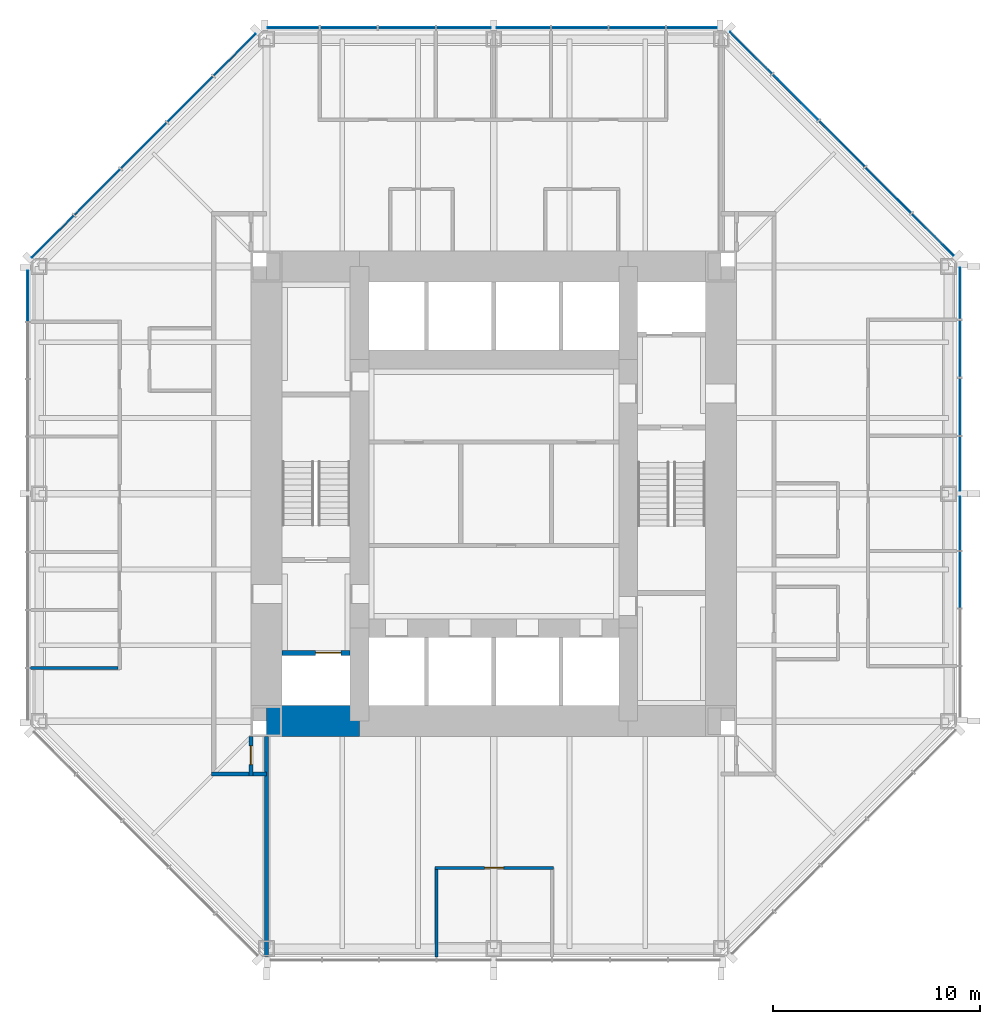
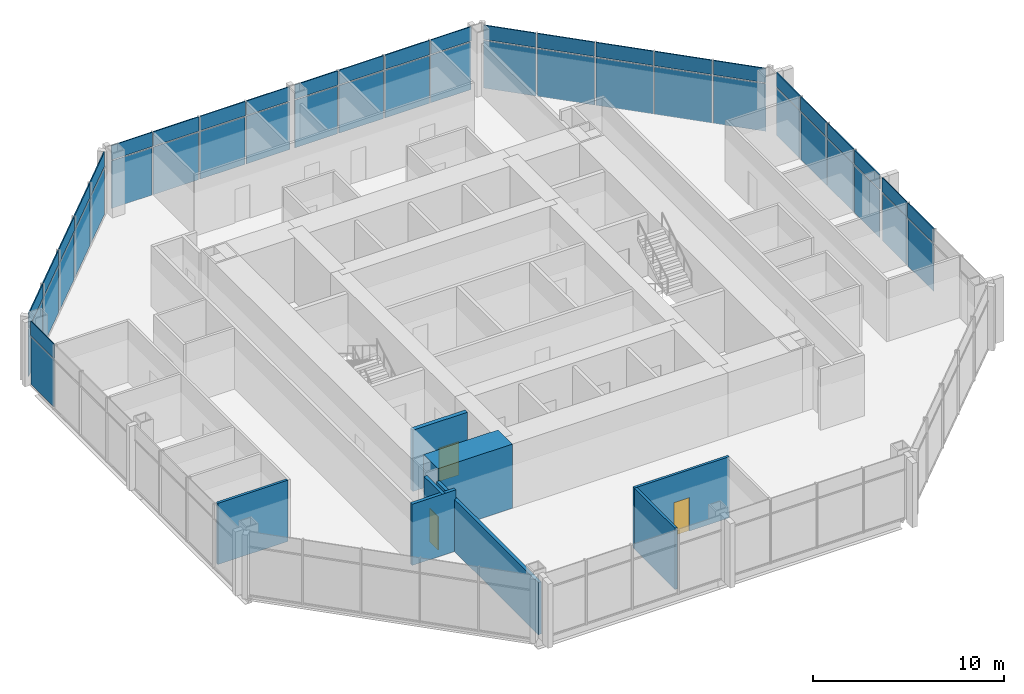
# One storey, part 8 of 12: 50 plates, 8 walls, 3 doors, 3 openings, 5 elements without a shape of their own.
"""IFC4 building model written with IfcOpenShell, lengths in metres."""

from ifc_helpers import new_model, si_unit, direction, frame, frame_2d, origin, origin_2d, place, context, subcontext, project, spatial, rectangle, extrude, material, layer, layer_set, type_object, element, fill, aggregate, save


model = new_model("IFC4")

# Units and contexts
model_context = context("Model", 3, precision=1e-05, world=origin(), true_north=direction((0.0, 1.0)))
body_context = subcontext(model_context, "Body", "Model", "MODEL_VIEW")
ifc_project = project(units=[si_unit("LENGTHUNIT", "METRE"), si_unit("AREAUNIT", "SQUARE_METRE"), si_unit("VOLUMEUNIT", "CUBIC_METRE"), si_unit("PLANEANGLEUNIT", "RADIAN"), si_unit("MASSUNIT", "GRAM", prefix="KILO")], contexts=[model_context])

# Site, building, storey
site_placement = place(None, origin())
site = spatial("IfcSite", under=ifc_project, at=site_placement, CompositionType="ELEMENT")
building_placement = place(site_placement, origin())
building = spatial("IfcBuilding", under=site, at=building_placement, Name="Trevanion Tower", CompositionType="ELEMENT")
storey_placement = place(building_placement, frame((0.0, 0.0, 125.39990234375)))
storey = spatial("IfcBuildingStorey", under=building, at=storey_placement, Name="L29", CompositionType="ELEMENT", Elevation=125.39990234375)

# Curtain wall, plates
ifc_material_1 = material(Name="Aluminium and glass", Category="aluminium")
curtain_wall_type = type_object("IfcCurtainWallType", Name="CW2 curtain wall", PredefinedType="USERDEFINED", material=ifc_material_1)
curtain_wall_1_placement = place(storey_placement, origin())
curtain_wall_1 = element("IfcCurtainWall", 1, at=curtain_wall_1_placement, inside=storey, type_object=curtain_wall_type, Name="CW2 L29 0", ObjectType="UNITISED CURTAIN WALL", PredefinedType="USERDEFINED")
ifc_material_2 = material(Name="Aluminium spandrel panel", Category="aluminium")
ifc_layer_1 = layer(ifc_material_2, 0.06005859375)
ifc_layer_set_1 = layer_set([ifc_layer_1], Name="CW2 spandrel panel")
plate_type_1 = type_object("IfcPlateType", Name="CW2 spandrel panel", PredefinedType="CURTAIN_PANEL", material=ifc_layer_set_1)
plate_1_placement = place(storey_placement, frame((22.550048828125, -4.16162109375, 2.99755859375), z_axis=(0.0, 0.0, 1.0), x_axis=(0.0, 1.0, 0.0)))
plate_1 = element("IfcPlate", 2, at=plate_1_placement, type_object=plate_type_1, Name="CW2 panel 3.2", PredefinedType="CURTAIN_PANEL", context=body_context, shape_type="SweptSolid", body=[
    extrude(rectangle(XDim=2.699462890625, YDim=0.06005859375, at=origin_2d()), origin(), (0.0, 0.0, 1.0), 0.91259765625),
])
plate_2_placement = place(storey_placement, frame((22.550048828125, -1.443603515625, 2.99755859375), z_axis=(0.0, 0.0, 1.0), x_axis=(0.0, 1.0, 0.0)))
plate_2 = element("IfcPlate", 3, at=plate_2_placement, type_object=plate_type_1, Name="CW2 panel 4.2", PredefinedType="CURTAIN_PANEL", context=body_context, shape_type="SweptSolid", body=[
    extrude(rectangle(XDim=2.5869140625, YDim=0.06005859375, at=origin_2d()), origin(), (0.0, 0.0, 1.0), 0.91259765625),
])
plate_3_placement = place(storey_placement, frame((22.550048828125, 1.459716796875, 2.99755859375), z_axis=(0.0, 0.0, 1.0), x_axis=(0.0, 1.0, 0.0)))
plate_3 = element("IfcPlate", 4, at=plate_3_placement, type_object=plate_type_1, Name="CW2 panel 5.2", PredefinedType="CURTAIN_PANEL", context=body_context, shape_type="SweptSolid", body=[
    extrude(rectangle(XDim=2.619384765625, YDim=0.06005859375, at=origin_2d()), origin(), (0.0, 0.0, 1.0), 0.91259765625),
])
plate_4_placement = place(storey_placement, frame((22.550048828125, 4.21044921875, 2.99755859375), z_axis=(0.0, 0.0, 1.0), x_axis=(0.0, 1.0, 0.0)))
plate_4 = element("IfcPlate", 5, at=plate_4_placement, type_object=plate_type_1, Name="CW2 panel 6.2", PredefinedType="CURTAIN_PANEL", context=body_context, shape_type="SweptSolid", body=[
    extrude(rectangle(XDim=2.73193359375, YDim=0.06005859375, at=origin_2d()), origin(), (0.0, 0.0, 1.0), 0.91259765625),
])
plate_5_placement = place(storey_placement, frame((22.550048828125, 7.017333984375, 2.99755859375), z_axis=(0.0, 0.0, 1.0), x_axis=(0.0, 1.0, 0.0)))
plate_5 = element("IfcPlate", 6, at=plate_5_placement, type_object=plate_type_1, Name="CW2 panel 7.2", PredefinedType="CURTAIN_PANEL", context=body_context, shape_type="SweptSolid", body=[
    extrude(rectangle(XDim=2.73193359375, YDim=0.06005859375, at=origin_2d()), origin(), (0.0, 0.0, 1.0), 0.91259765625),
])
plate_6_placement = place(storey_placement, frame((22.550048828125, 9.693115234375, 2.99755859375), z_axis=(0.0, 0.0, 1.0), x_axis=(0.0, 1.0, 0.0)))
plate_6 = element("IfcPlate", 7, at=plate_6_placement, type_object=plate_type_1, Name="CW2 panel 8.2", PredefinedType="CURTAIN_PANEL", context=body_context, shape_type="SweptSolid", body=[
    extrude(rectangle(XDim=2.469482421875, YDim=0.06005859375, at=origin_2d()), origin(), (0.0, 0.0, 1.0), 0.91259765625),
])

curtain_wall_2_placement = place(storey_placement, origin())
curtain_wall_2 = element("IfcCurtainWall", 8, at=curtain_wall_2_placement, inside=storey, type_object=curtain_wall_type, Name="CW2 L29 1", ObjectType="UNITISED CURTAIN WALL", PredefinedType="USERDEFINED")
plate_7_placement = place(storey_placement, frame((21.2421875, 12.53564453125, 2.99755859375), z_axis=(0.0, 0.0, 1.0), x_axis=(-0.707106781187, 0.707106781187, 0.0)))
plate_7 = element("IfcPlate", 9, at=plate_7_placement, type_object=plate_type_1, Name="CW2 panel 1.2", PredefinedType="CURTAIN_PANEL", context=body_context, shape_type="SweptSolid", body=[
    extrude(rectangle(XDim=2.8388671875, YDim=0.06005859375, at=origin_2d()), origin(), (0.0, 0.0, 1.0), 0.91259765625),
])
plate_8_placement = place(storey_placement, frame((19.089111328125, 14.688720703125, 2.99755859375), z_axis=(0.0, 0.0, 1.0), x_axis=(-0.707106781187, 0.707106781187, 0.0)))
plate_8 = element("IfcPlate", 10, at=plate_8_placement, type_object=plate_type_1, Name="CW2 panel 2.2", PredefinedType="CURTAIN_PANEL", context=body_context, shape_type="SweptSolid", body=[
    extrude(rectangle(XDim=3.101318359375, YDim=0.06005859375, at=origin_2d()), origin(), (0.0, 0.0, 1.0), 0.91259765625),
])
plate_9_placement = place(storey_placement, frame((16.843017578125, 16.934814453125, 2.99755859375), z_axis=(0.0, 0.0, 1.0), x_axis=(-0.707106781187, 0.707106781187, 0.0)))
plate_9 = element("IfcPlate", 11, at=plate_9_placement, type_object=plate_type_1, Name="CW2 panel 3.2", PredefinedType="CURTAIN_PANEL", context=body_context, shape_type="SweptSolid", body=[
    extrude(rectangle(XDim=3.101318359375, YDim=0.06005859375, at=origin_2d()), origin(), (0.0, 0.0, 1.0), 0.91259765625),
])
plate_10_placement = place(storey_placement, frame((14.596923828125, 19.180908203125, 2.99755859375), z_axis=(0.0, 0.0, 1.0), x_axis=(-0.707106781187, 0.707106781187, 0.0)))
plate_10 = element("IfcPlate", 12, at=plate_10_placement, type_object=plate_type_1, Name="CW2 panel 4.2", PredefinedType="CURTAIN_PANEL", context=body_context, shape_type="SweptSolid", body=[
    extrude(rectangle(XDim=3.101318359375, YDim=0.06005859375, at=origin_2d()), origin(), (0.0, 0.0, 1.0), 0.91259765625),
])
plate_11_placement = place(storey_placement, frame((12.443603515625, 21.334228515625, 2.99755859375), z_axis=(0.0, 0.0, 1.0), x_axis=(-0.707106781187, 0.707106781187, 0.0)))
plate_11 = element("IfcPlate", 13, at=plate_11_placement, type_object=plate_type_1, Name="CW2 panel 5.2", PredefinedType="CURTAIN_PANEL", context=body_context, shape_type="SweptSolid", body=[
    extrude(rectangle(XDim=2.8388671875, YDim=0.06005859375, at=origin_2d()), origin(), (0.0, 0.0, 1.0), 0.91259765625),
])

curtain_wall_3_placement = place(storey_placement, origin())
curtain_wall_3 = element("IfcCurtainWall", 14, at=curtain_wall_3_placement, inside=storey, type_object=curtain_wall_type, Name="CW2 L29 2", ObjectType="UNITISED CURTAIN WALL", PredefinedType="USERDEFINED")
plate_12_placement = place(storey_placement, frame((9.579345703125, 22.550048828125, 2.99755859375), z_axis=(0.0, 0.0, 1.0), x_axis=(-1.0, 0.0, 0.0)))
plate_12 = element("IfcPlate", 15, at=plate_12_placement, type_object=plate_type_1, Name="CW2 panel 1.2", PredefinedType="CURTAIN_PANEL", context=body_context, shape_type="SweptSolid", body=[
    extrude(rectangle(XDim=2.43701171875, YDim=0.06005859375, at=origin_2d()), origin(), (0.0, 0.0, 1.0), 0.91259765625),
])
plate_13_placement = place(storey_placement, frame((6.93603515625, 22.550048828125, 2.99755859375), z_axis=(0.0, 0.0, 1.0), x_axis=(-1.0, 0.0, 0.0)))
plate_13 = element("IfcPlate", 16, at=plate_13_placement, type_object=plate_type_1, Name="CW2 panel 2.2", PredefinedType="CURTAIN_PANEL", context=body_context, shape_type="SweptSolid", body=[
    extrude(rectangle(XDim=2.699462890625, YDim=0.06005859375, at=origin_2d()), origin(), (0.0, 0.0, 1.0), 0.91259765625),
])
plate_14_placement = place(storey_placement, frame((4.16162109375, 22.550048828125, 2.99755859375), z_axis=(0.0, 0.0, 1.0), x_axis=(-1.0, 0.0, 0.0)))
plate_14 = element("IfcPlate", 17, at=plate_14_placement, type_object=plate_type_1, Name="CW2 panel 3.2", PredefinedType="CURTAIN_PANEL", context=body_context, shape_type="SweptSolid", body=[
    extrude(rectangle(XDim=2.699462890625, YDim=0.06005859375, at=origin_2d()), origin(), (0.0, 0.0, 1.0), 0.91259765625),
])
plate_15_placement = place(storey_placement, frame((1.443603515625, 22.550048828125, 2.99755859375), z_axis=(0.0, 0.0, 1.0), x_axis=(-1.0, 0.0, 0.0)))
plate_15 = element("IfcPlate", 18, at=plate_15_placement, type_object=plate_type_1, Name="CW2 panel 4.2", PredefinedType="CURTAIN_PANEL", context=body_context, shape_type="SweptSolid", body=[
    extrude(rectangle(XDim=2.5869140625, YDim=0.06005859375, at=origin_2d()), origin(), (0.0, 0.0, 1.0), 0.91259765625),
])
plate_16_placement = place(storey_placement, frame((-1.459716796875, 22.550048828125, 2.99755859375), z_axis=(0.0, 0.0, 1.0), x_axis=(-1.0, 0.0, 0.0)))
plate_16 = element("IfcPlate", 19, at=plate_16_placement, type_object=plate_type_1, Name="CW2 panel 5.2", PredefinedType="CURTAIN_PANEL", context=body_context, shape_type="SweptSolid", body=[
    extrude(rectangle(XDim=2.619384765625, YDim=0.06005859375, at=origin_2d()), origin(), (0.0, 0.0, 1.0), 0.91259765625),
])
plate_17_placement = place(storey_placement, frame((-4.21044921875, 22.550048828125, 2.99755859375), z_axis=(0.0, 0.0, 1.0), x_axis=(-1.0, 0.0, 0.0)))
plate_17 = element("IfcPlate", 20, at=plate_17_placement, type_object=plate_type_1, Name="CW2 panel 6.2", PredefinedType="CURTAIN_PANEL", context=body_context, shape_type="SweptSolid", body=[
    extrude(rectangle(XDim=2.73193359375, YDim=0.06005859375, at=origin_2d()), origin(), (0.0, 0.0, 1.0), 0.91259765625),
])
plate_18_placement = place(storey_placement, frame((-7.017333984375, 22.550048828125, 2.99755859375), z_axis=(0.0, 0.0, 1.0), x_axis=(-1.0, 0.0, 0.0)))
plate_18 = element("IfcPlate", 21, at=plate_18_placement, type_object=plate_type_1, Name="CW2 panel 7.2", PredefinedType="CURTAIN_PANEL", context=body_context, shape_type="SweptSolid", body=[
    extrude(rectangle(XDim=2.73193359375, YDim=0.06005859375, at=origin_2d()), origin(), (0.0, 0.0, 1.0), 0.91259765625),
])
plate_19_placement = place(storey_placement, frame((-9.693115234375, 22.550048828125, 2.99755859375), z_axis=(0.0, 0.0, 1.0), x_axis=(-1.0, 0.0, 0.0)))
plate_19 = element("IfcPlate", 22, at=plate_19_placement, type_object=plate_type_1, Name="CW2 panel 8.2", PredefinedType="CURTAIN_PANEL", context=body_context, shape_type="SweptSolid", body=[
    extrude(rectangle(XDim=2.469482421875, YDim=0.06005859375, at=origin_2d()), origin(), (0.0, 0.0, 1.0), 0.91259765625),
])

curtain_wall_4_placement = place(storey_placement, origin())
curtain_wall_4 = element("IfcCurtainWall", 23, at=curtain_wall_4_placement, inside=storey, type_object=curtain_wall_type, Name="CW2 L29 3", ObjectType="UNITISED CURTAIN WALL", PredefinedType="USERDEFINED")
plate_20_placement = place(storey_placement, frame((-12.53564453125, 21.2421875, 2.99755859375), z_axis=(0.0, 0.0, 1.0), x_axis=(-0.707106781187, -0.707106781187, 0.0)))
plate_20 = element("IfcPlate", 24, at=plate_20_placement, type_object=plate_type_1, Name="CW2 panel 1.2", PredefinedType="CURTAIN_PANEL", context=body_context, shape_type="SweptSolid", body=[
    extrude(rectangle(XDim=2.8388671875, YDim=0.06005859375, at=origin_2d()), origin(), (0.0, 0.0, 1.0), 0.91259765625),
])
plate_21_placement = place(storey_placement, frame((-14.688720703125, 19.089111328125, 2.99755859375), z_axis=(0.0, 0.0, 1.0), x_axis=(-0.707106781187, -0.707106781187, 0.0)))
plate_21 = element("IfcPlate", 25, at=plate_21_placement, type_object=plate_type_1, Name="CW2 panel 2.2", PredefinedType="CURTAIN_PANEL", context=body_context, shape_type="SweptSolid", body=[
    extrude(rectangle(XDim=3.101318359375, YDim=0.06005859375, at=origin_2d()), origin(), (0.0, 0.0, 1.0), 0.91259765625),
])
plate_22_placement = place(storey_placement, frame((-16.934814453125, 16.843017578125, 2.99755859375), z_axis=(0.0, 0.0, 1.0), x_axis=(-0.707106781187, -0.707106781187, 0.0)))
plate_22 = element("IfcPlate", 26, at=plate_22_placement, type_object=plate_type_1, Name="CW2 panel 3.2", PredefinedType="CURTAIN_PANEL", context=body_context, shape_type="SweptSolid", body=[
    extrude(rectangle(XDim=3.101318359375, YDim=0.06005859375, at=origin_2d()), origin(), (0.0, 0.0, 1.0), 0.91259765625),
])
plate_23_placement = place(storey_placement, frame((-19.180908203125, 14.596923828125, 2.99755859375), z_axis=(0.0, 0.0, 1.0), x_axis=(-0.707106781187, -0.707106781187, 0.0)))
plate_23 = element("IfcPlate", 27, at=plate_23_placement, type_object=plate_type_1, Name="CW2 panel 4.2", PredefinedType="CURTAIN_PANEL", context=body_context, shape_type="SweptSolid", body=[
    extrude(rectangle(XDim=3.101318359375, YDim=0.06005859375, at=origin_2d()), origin(), (0.0, 0.0, 1.0), 0.91259765625),
])
plate_24_placement = place(storey_placement, frame((-21.334228515625, 12.443603515625, 2.99755859375), z_axis=(0.0, 0.0, 1.0), x_axis=(-0.707106781187, -0.707106781187, 0.0)))
plate_24 = element("IfcPlate", 28, at=plate_24_placement, type_object=plate_type_1, Name="CW2 panel 5.2", PredefinedType="CURTAIN_PANEL", context=body_context, shape_type="SweptSolid", body=[
    extrude(rectangle(XDim=2.8388671875, YDim=0.06005859375, at=origin_2d()), origin(), (0.0, 0.0, 1.0), 0.91259765625),
])

# Curtain wall, plate
curtain_wall_5_placement = place(storey_placement, origin())
curtain_wall_5 = element("IfcCurtainWall", 29, at=curtain_wall_5_placement, inside=storey, type_object=curtain_wall_type, Name="CW2 L29 4", ObjectType="UNITISED CURTAIN WALL", PredefinedType="USERDEFINED")
plate_25_placement = place(storey_placement, frame((-22.550048828125, 9.579345703125, 2.99755859375), z_axis=(0.0, 0.0, 1.0), x_axis=(0.0, -1.0, 0.0)))
plate_25 = element("IfcPlate", 30, at=plate_25_placement, type_object=plate_type_1, Name="CW2 panel 1.2", PredefinedType="CURTAIN_PANEL", context=body_context, shape_type="SweptSolid", body=[
    extrude(rectangle(XDim=2.43701171875, YDim=0.06005859375, at=origin_2d()), origin(), (0.0, 0.0, 1.0), 0.91259765625),
])

# Plate
ifc_material_3 = material(Name="Insulating glass unit", Category="glass")
ifc_layer_2 = layer(ifc_material_3, 0.028076171875)
ifc_layer_set_2 = layer_set([ifc_layer_2], Name="CW2 vision panel")
plate_type_2 = type_object("IfcPlateType", Name="CW2 vision panel", PredefinedType="CURTAIN_PANEL", material=ifc_layer_set_2)
plate_26_placement = place(storey_placement, frame((22.550048828125, -4.16162109375, -0.114990234375), z_axis=(0.0, 0.0, 1.0), x_axis=(0.0, 1.0, 0.0)))
plate_26 = element("IfcPlate", 31, at=plate_26_placement, type_object=plate_type_2, Name="CW2 panel 3.1", PredefinedType="CURTAIN_PANEL", context=body_context, shape_type="SweptSolid", body=[
    extrude(rectangle(XDim=2.699462890625, YDim=0.028076171875, at=origin_2d()), origin(), (0.0, 0.0, 1.0), 3.03759765625),
])

plate_27_placement = place(storey_placement, frame((22.550048828125, -1.443603515625, -0.114990234375), z_axis=(0.0, 0.0, 1.0), x_axis=(0.0, 1.0, 0.0)))
plate_27 = element("IfcPlate", 32, at=plate_27_placement, type_object=plate_type_2, Name="CW2 panel 4.1", PredefinedType="CURTAIN_PANEL", context=body_context, shape_type="SweptSolid", body=[
    extrude(rectangle(XDim=2.5869140625, YDim=0.028076171875, at=origin_2d()), origin(), (0.0, 0.0, 1.0), 3.03759765625),
])

plate_28_placement = place(storey_placement, frame((22.550048828125, 1.459716796875, -0.114990234375), z_axis=(0.0, 0.0, 1.0), x_axis=(0.0, 1.0, 0.0)))
plate_28 = element("IfcPlate", 33, at=plate_28_placement, type_object=plate_type_2, Name="CW2 panel 5.1", PredefinedType="CURTAIN_PANEL", context=body_context, shape_type="SweptSolid", body=[
    extrude(rectangle(XDim=2.619384765625, YDim=0.028076171875, at=origin_2d()), origin(), (0.0, 0.0, 1.0), 3.03759765625),
])

plate_29_placement = place(storey_placement, frame((22.550048828125, 4.21044921875, -0.114990234375), z_axis=(0.0, 0.0, 1.0), x_axis=(0.0, 1.0, 0.0)))
plate_29 = element("IfcPlate", 34, at=plate_29_placement, type_object=plate_type_2, Name="CW2 panel 6.1", PredefinedType="CURTAIN_PANEL", context=body_context, shape_type="SweptSolid", body=[
    extrude(rectangle(XDim=2.73193359375, YDim=0.028076171875, at=origin_2d()), origin(), (0.0, 0.0, 1.0), 3.03759765625),
])

plate_30_placement = place(storey_placement, frame((22.550048828125, 7.017333984375, -0.114990234375), z_axis=(0.0, 0.0, 1.0), x_axis=(0.0, 1.0, 0.0)))
plate_30 = element("IfcPlate", 35, at=plate_30_placement, type_object=plate_type_2, Name="CW2 panel 7.1", PredefinedType="CURTAIN_PANEL", context=body_context, shape_type="SweptSolid", body=[
    extrude(rectangle(XDim=2.73193359375, YDim=0.028076171875, at=origin_2d()), origin(), (0.0, 0.0, 1.0), 3.03759765625),
])

plate_31_placement = place(storey_placement, frame((22.550048828125, 9.693115234375, -0.114990234375), z_axis=(0.0, 0.0, 1.0), x_axis=(0.0, 1.0, 0.0)))
plate_31 = element("IfcPlate", 36, at=plate_31_placement, type_object=plate_type_2, Name="CW2 panel 8.1", PredefinedType="CURTAIN_PANEL", context=body_context, shape_type="SweptSolid", body=[
    extrude(rectangle(XDim=2.469482421875, YDim=0.028076171875, at=origin_2d()), origin(), (0.0, 0.0, 1.0), 3.03759765625),
])

aggregate(curtain_wall_1, [plate_26, plate_1, plate_27, plate_2, plate_28, plate_3, plate_29, plate_4, plate_30, plate_5, plate_31, plate_6])

plate_32_placement = place(storey_placement, frame((21.2421875, 12.53564453125, -0.114990234375), z_axis=(0.0, 0.0, 1.0), x_axis=(-0.707106781187, 0.707106781187, 0.0)))
plate_32 = element("IfcPlate", 37, at=plate_32_placement, type_object=plate_type_2, Name="CW2 panel 1.1", PredefinedType="CURTAIN_PANEL", context=body_context, shape_type="SweptSolid", body=[
    extrude(rectangle(XDim=2.8388671875, YDim=0.028076171875, at=origin_2d()), origin(), (0.0, 0.0, 1.0), 3.03759765625),
])

plate_33_placement = place(storey_placement, frame((19.089111328125, 14.688720703125, -0.114990234375), z_axis=(0.0, 0.0, 1.0), x_axis=(-0.707106781187, 0.707106781187, 0.0)))
plate_33 = element("IfcPlate", 38, at=plate_33_placement, type_object=plate_type_2, Name="CW2 panel 2.1", PredefinedType="CURTAIN_PANEL", context=body_context, shape_type="SweptSolid", body=[
    extrude(rectangle(XDim=3.101318359375, YDim=0.028076171875, at=origin_2d()), origin(), (0.0, 0.0, 1.0), 3.03759765625),
])

plate_34_placement = place(storey_placement, frame((16.843017578125, 16.934814453125, -0.114990234375), z_axis=(0.0, 0.0, 1.0), x_axis=(-0.707106781187, 0.707106781187, 0.0)))
plate_34 = element("IfcPlate", 39, at=plate_34_placement, type_object=plate_type_2, Name="CW2 panel 3.1", PredefinedType="CURTAIN_PANEL", context=body_context, shape_type="SweptSolid", body=[
    extrude(rectangle(XDim=3.101318359375, YDim=0.028076171875, at=origin_2d()), origin(), (0.0, 0.0, 1.0), 3.03759765625),
])

plate_35_placement = place(storey_placement, frame((14.596923828125, 19.180908203125, -0.114990234375), z_axis=(0.0, 0.0, 1.0), x_axis=(-0.707106781187, 0.707106781187, 0.0)))
plate_35 = element("IfcPlate", 40, at=plate_35_placement, type_object=plate_type_2, Name="CW2 panel 4.1", PredefinedType="CURTAIN_PANEL", context=body_context, shape_type="SweptSolid", body=[
    extrude(rectangle(XDim=3.101318359375, YDim=0.028076171875, at=origin_2d()), origin(), (0.0, 0.0, 1.0), 3.03759765625),
])

plate_36_placement = place(storey_placement, frame((12.443603515625, 21.334228515625, -0.114990234375), z_axis=(0.0, 0.0, 1.0), x_axis=(-0.707106781187, 0.707106781187, 0.0)))
plate_36 = element("IfcPlate", 41, at=plate_36_placement, type_object=plate_type_2, Name="CW2 panel 5.1", PredefinedType="CURTAIN_PANEL", context=body_context, shape_type="SweptSolid", body=[
    extrude(rectangle(XDim=2.8388671875, YDim=0.028076171875, at=origin_2d()), origin(), (0.0, 0.0, 1.0), 3.03759765625),
])

aggregate(curtain_wall_2, [plate_32, plate_7, plate_33, plate_8, plate_34, plate_9, plate_35, plate_10, plate_36, plate_11])

plate_37_placement = place(storey_placement, frame((9.579345703125, 22.550048828125, -0.114990234375), z_axis=(0.0, 0.0, 1.0), x_axis=(-1.0, 0.0, 0.0)))
plate_37 = element("IfcPlate", 42, at=plate_37_placement, type_object=plate_type_2, Name="CW2 panel 1.1", PredefinedType="CURTAIN_PANEL", context=body_context, shape_type="SweptSolid", body=[
    extrude(rectangle(XDim=2.43701171875, YDim=0.028076171875, at=origin_2d()), origin(), (0.0, 0.0, 1.0), 3.03759765625),
])

plate_38_placement = place(storey_placement, frame((6.93603515625, 22.550048828125, -0.114990234375), z_axis=(0.0, 0.0, 1.0), x_axis=(-1.0, 0.0, 0.0)))
plate_38 = element("IfcPlate", 43, at=plate_38_placement, type_object=plate_type_2, Name="CW2 panel 2.1", PredefinedType="CURTAIN_PANEL", context=body_context, shape_type="SweptSolid", body=[
    extrude(rectangle(XDim=2.699462890625, YDim=0.028076171875, at=origin_2d()), origin(), (0.0, 0.0, 1.0), 3.03759765625),
])

plate_39_placement = place(storey_placement, frame((4.16162109375, 22.550048828125, -0.114990234375), z_axis=(0.0, 0.0, 1.0), x_axis=(-1.0, 0.0, 0.0)))
plate_39 = element("IfcPlate", 44, at=plate_39_placement, type_object=plate_type_2, Name="CW2 panel 3.1", PredefinedType="CURTAIN_PANEL", context=body_context, shape_type="SweptSolid", body=[
    extrude(rectangle(XDim=2.699462890625, YDim=0.028076171875, at=origin_2d()), origin(), (0.0, 0.0, 1.0), 3.03759765625),
])

plate_40_placement = place(storey_placement, frame((1.443603515625, 22.550048828125, -0.114990234375), z_axis=(0.0, 0.0, 1.0), x_axis=(-1.0, 0.0, 0.0)))
plate_40 = element("IfcPlate", 45, at=plate_40_placement, type_object=plate_type_2, Name="CW2 panel 4.1", PredefinedType="CURTAIN_PANEL", context=body_context, shape_type="SweptSolid", body=[
    extrude(rectangle(XDim=2.5869140625, YDim=0.028076171875, at=origin_2d()), origin(), (0.0, 0.0, 1.0), 3.03759765625),
])

plate_41_placement = place(storey_placement, frame((-1.459716796875, 22.550048828125, -0.114990234375), z_axis=(0.0, 0.0, 1.0), x_axis=(-1.0, 0.0, 0.0)))
plate_41 = element("IfcPlate", 46, at=plate_41_placement, type_object=plate_type_2, Name="CW2 panel 5.1", PredefinedType="CURTAIN_PANEL", context=body_context, shape_type="SweptSolid", body=[
    extrude(rectangle(XDim=2.619384765625, YDim=0.028076171875, at=origin_2d()), origin(), (0.0, 0.0, 1.0), 3.03759765625),
])

plate_42_placement = place(storey_placement, frame((-4.21044921875, 22.550048828125, -0.114990234375), z_axis=(0.0, 0.0, 1.0), x_axis=(-1.0, 0.0, 0.0)))
plate_42 = element("IfcPlate", 47, at=plate_42_placement, type_object=plate_type_2, Name="CW2 panel 6.1", PredefinedType="CURTAIN_PANEL", context=body_context, shape_type="SweptSolid", body=[
    extrude(rectangle(XDim=2.73193359375, YDim=0.028076171875, at=origin_2d()), origin(), (0.0, 0.0, 1.0), 3.03759765625),
])

plate_43_placement = place(storey_placement, frame((-7.017333984375, 22.550048828125, -0.114990234375), z_axis=(0.0, 0.0, 1.0), x_axis=(-1.0, 0.0, 0.0)))
plate_43 = element("IfcPlate", 48, at=plate_43_placement, type_object=plate_type_2, Name="CW2 panel 7.1", PredefinedType="CURTAIN_PANEL", context=body_context, shape_type="SweptSolid", body=[
    extrude(rectangle(XDim=2.73193359375, YDim=0.028076171875, at=origin_2d()), origin(), (0.0, 0.0, 1.0), 3.03759765625),
])

plate_44_placement = place(storey_placement, frame((-9.693115234375, 22.550048828125, -0.114990234375), z_axis=(0.0, 0.0, 1.0), x_axis=(-1.0, 0.0, 0.0)))
plate_44 = element("IfcPlate", 49, at=plate_44_placement, type_object=plate_type_2, Name="CW2 panel 8.1", PredefinedType="CURTAIN_PANEL", context=body_context, shape_type="SweptSolid", body=[
    extrude(rectangle(XDim=2.469482421875, YDim=0.028076171875, at=origin_2d()), origin(), (0.0, 0.0, 1.0), 3.03759765625),
])

aggregate(curtain_wall_3, [plate_37, plate_12, plate_38, plate_13, plate_39, plate_14, plate_40, plate_15, plate_41, plate_16, plate_42, plate_17, plate_43, plate_18, plate_44, plate_19])

plate_45_placement = place(storey_placement, frame((-12.53564453125, 21.2421875, -0.114990234375), z_axis=(0.0, 0.0, 1.0), x_axis=(-0.707106781187, -0.707106781187, 0.0)))
plate_45 = element("IfcPlate", 50, at=plate_45_placement, type_object=plate_type_2, Name="CW2 panel 1.1", PredefinedType="CURTAIN_PANEL", context=body_context, shape_type="SweptSolid", body=[
    extrude(rectangle(XDim=2.8388671875, YDim=0.028076171875, at=origin_2d()), origin(), (0.0, 0.0, 1.0), 3.03759765625),
])

plate_46_placement = place(storey_placement, frame((-14.688720703125, 19.089111328125, -0.114990234375), z_axis=(0.0, 0.0, 1.0), x_axis=(-0.707106781187, -0.707106781187, 0.0)))
plate_46 = element("IfcPlate", 51, at=plate_46_placement, type_object=plate_type_2, Name="CW2 panel 2.1", PredefinedType="CURTAIN_PANEL", context=body_context, shape_type="SweptSolid", body=[
    extrude(rectangle(XDim=3.101318359375, YDim=0.028076171875, at=origin_2d()), origin(), (0.0, 0.0, 1.0), 3.03759765625),
])

plate_47_placement = place(storey_placement, frame((-16.934814453125, 16.843017578125, -0.114990234375), z_axis=(0.0, 0.0, 1.0), x_axis=(-0.707106781187, -0.707106781187, 0.0)))
plate_47 = element("IfcPlate", 52, at=plate_47_placement, type_object=plate_type_2, Name="CW2 panel 3.1", PredefinedType="CURTAIN_PANEL", context=body_context, shape_type="SweptSolid", body=[
    extrude(rectangle(XDim=3.101318359375, YDim=0.028076171875, at=origin_2d()), origin(), (0.0, 0.0, 1.0), 3.03759765625),
])

plate_48_placement = place(storey_placement, frame((-19.180908203125, 14.596923828125, -0.114990234375), z_axis=(0.0, 0.0, 1.0), x_axis=(-0.707106781187, -0.707106781187, 0.0)))
plate_48 = element("IfcPlate", 53, at=plate_48_placement, type_object=plate_type_2, Name="CW2 panel 4.1", PredefinedType="CURTAIN_PANEL", context=body_context, shape_type="SweptSolid", body=[
    extrude(rectangle(XDim=3.101318359375, YDim=0.028076171875, at=origin_2d()), origin(), (0.0, 0.0, 1.0), 3.03759765625),
])

plate_49_placement = place(storey_placement, frame((-21.334228515625, 12.443603515625, -0.114990234375), z_axis=(0.0, 0.0, 1.0), x_axis=(-0.707106781187, -0.707106781187, 0.0)))
plate_49 = element("IfcPlate", 54, at=plate_49_placement, type_object=plate_type_2, Name="CW2 panel 5.1", PredefinedType="CURTAIN_PANEL", context=body_context, shape_type="SweptSolid", body=[
    extrude(rectangle(XDim=2.8388671875, YDim=0.028076171875, at=origin_2d()), origin(), (0.0, 0.0, 1.0), 3.03759765625),
])

aggregate(curtain_wall_4, [plate_45, plate_20, plate_46, plate_21, plate_47, plate_22, plate_48, plate_23, plate_49, plate_24])

plate_50_placement = place(storey_placement, frame((-22.550048828125, 9.579345703125, -0.114990234375), z_axis=(0.0, 0.0, 1.0), x_axis=(0.0, -1.0, 0.0)))
plate_50 = element("IfcPlate", 55, at=plate_50_placement, type_object=plate_type_2, Name="CW2 panel 1.1", PredefinedType="CURTAIN_PANEL", context=body_context, shape_type="SweptSolid", body=[
    extrude(rectangle(XDim=2.43701171875, YDim=0.028076171875, at=origin_2d()), origin(), (0.0, 0.0, 1.0), 3.03759765625),
])

aggregate(curtain_wall_5, [plate_50, plate_25])

# Walls
ifc_material_4 = material(Name="Concrete 10,000 psi", Category="concrete")
ifc_layer_3 = layer(ifc_material_4, 1.5)
ifc_layer_set_3 = layer_set([ifc_layer_3], Name="CW1 core wall 1500")
wall_type_1 = type_object("IfcWallType", Name="CW1 core wall 1500", PredefinedType="SHEAR", material=ifc_layer_set_3)
wall_1_placement = place(storey_placement, frame((-11.0, -11.0, 0.0), z_axis=(0.0, 0.0, 1.0), x_axis=(1.0, 0.0, 0.0)))
element("IfcWall", 56, at=wall_1_placement, inside=storey, type_object=wall_type_1, Name="CW1 CS1 L29", PredefinedType="SHEAR", context=body_context, shape_type="SweptSolid", body=[
    extrude(rectangle(XDim=4.5, YDim=1.5, at=frame_2d((2.25, 0.0))), origin(), (0.0, 0.0, 1.0), 4.10009765625),
])
ifc_material_5 = material(Name="Gypsum board on steel studs", Category="steel")
ifc_layer_4 = layer(ifc_material_5, 0.14990234375)
ifc_layer_set_4 = layer_set([ifc_layer_4], Name="PT1 partition 150")
wall_type_2 = type_object("IfcWallType", Name="PT1 partition 150", PredefinedType="PARTITIONING", material=ifc_layer_set_4)
wall_2_placement = place(storey_placement, frame((-18.175048828125, -8.4208984375, 0.0), z_axis=(0.0, 0.0, 1.0), x_axis=(-1.0, 0.0, 0.0)))
element("IfcWall", 57, at=wall_2_placement, inside=storey, type_object=wall_type_2, Name="PT1 L29 FC2S6", PredefinedType="PARTITIONING", context=body_context, shape_type="SweptSolid", body=[
    extrude(rectangle(XDim=4.239990234375, YDim=0.14990234375, at=frame_2d((2.1201171875, 0.0))), origin(), (0.0, 0.0, 1.0), 3.91015625),
])

# Wall, opening, door
wall_3_placement = place(storey_placement, frame((-2.85009765625, -18.10009765625, 0.0), z_axis=(0.0, 0.0, 1.0), x_axis=(1.0, 0.0, 0.0)))
wall_3 = element("IfcWall", 58, at=wall_3_placement, inside=storey, type_object=wall_type_2, Name="PT1 L29 FC3F", PredefinedType="PARTITIONING", context=body_context, shape_type="SweptSolid", body=[
    extrude(rectangle(XDim=5.732177734375, YDim=0.14990234375, at=frame_2d((2.8662109375, 0.0))), origin(), (0.0, 0.0, 1.0), 3.91015625),
])
opening_1_placement = place(wall_3_placement, frame((2.408447265625, 0.0, 0.0)))
opening_1 = element("IfcOpeningElement", 59, at=opening_1_placement, cuts=wall_3, Name="Opening 29-033", PredefinedType="OPENING", context=body_context, shape_type="SweptSolid", body=[
    extrude(rectangle(XDim=0.9150390625, YDim=2.134033203125, at=frame_2d((0.45751953125, 1.06689453125))), frame((0.0, 0.0849609375, 0.0), z_axis=(0.0, -1.0, 0.0), x_axis=(1.0, 0.0, 0.0)), (0.0, 0.0, 1.0), 0.169921875),
])
ifc_material_6 = material(Name="Timber veneer, solid core", Category="wood")
door_type_1 = type_object("IfcDoorType", Name="D1 office and meeting room door", OperationType="SINGLE_SWING_LEFT", PredefinedType="DOOR", material=ifc_material_6)
door_1_placement = place(opening_1_placement, origin())
door_1 = element("IfcDoor", 60, at=door_1_placement, inside=storey, type_object=door_type_1, Name="Door 29-033", OperationType="SINGLE_SWING_LEFT", OverallHeight=2.134033203125, OverallWidth=0.9150390625, PredefinedType="DOOR", context=body_context, shape_type="SweptSolid", body=[
    extrude(rectangle(XDim=0.9150390625, YDim=2.134033203125, at=frame_2d((0.45751953125, 1.06689453125))), frame((0.0, 0.02490234375, 0.0), z_axis=(0.0, -1.0, 0.0), x_axis=(1.0, 0.0, 0.0)), (0.0, 0.0, 1.0), 0.050048828125),
])
fill(opening_1, door_1)

# Wall
wall_4_placement = place(storey_placement, frame((-2.77490234375, -18.175048828125, 0.0), z_axis=(0.0, 0.0, 1.0), x_axis=(0.0, -1.0, 0.0)))
element("IfcWall", 61, at=wall_4_placement, inside=storey, type_object=wall_type_2, Name="PT1 L29 FC3S0", PredefinedType="PARTITIONING", context=body_context, shape_type="SweptSolid", body=[
    extrude(rectangle(XDim=4.239990234375, YDim=0.14990234375, at=frame_2d((2.1201171875, 0.0))), origin(), (0.0, 0.0, 1.0), 3.91015625),
])

# Wall, opening, door
ifc_material_7 = material(Name="Concrete masonry, grouted", Category="masonry")
ifc_layer_5 = layer(ifc_material_7, 0.199951171875)
ifc_layer_set_5 = layer_set([ifc_layer_5], Name="PT2 partition 200 1 HR")
wall_type_3 = type_object("IfcWallType", Name="PT2 partition 200 1 HR", PredefinedType="PARTITIONING", material=ifc_layer_set_5)
wall_5_placement = place(storey_placement, frame((-11.75, -11.75, 0.0), z_axis=(0.0, 0.0, 1.0), x_axis=(0.0, -1.0, 0.0)))
wall_5 = element("IfcWall", 62, at=wall_5_placement, inside=storey, type_object=wall_type_3, Name="PT2 L29 OUSW1", PredefinedType="PARTITIONING", context=body_context, shape_type="SweptSolid", body=[
    extrude(rectangle(XDim=1.89990234375, YDim=0.199951171875, at=frame_2d((0.949951171875, 0.0))), origin(), (0.0, 0.0, 1.0), 3.91015625),
])
opening_2_placement = place(wall_5_placement, frame((0.4423828125, 0.0, 0.0)))
opening_2 = element("IfcOpeningElement", 63, at=opening_2_placement, cuts=wall_5, Name="Opening 29-021", PredefinedType="OPENING", context=body_context, shape_type="SweptSolid", body=[
    extrude(rectangle(XDim=0.9150390625, YDim=2.134033203125, at=frame_2d((0.45751953125, 1.06689453125))), frame((0.0, 0.10986328125, 0.0), z_axis=(0.0, -1.0, 0.0), x_axis=(1.0, 0.0, 0.0)), (0.0, 0.0, 1.0), 0.219970703125),
])
ifc_material_8 = material(Name="Timber veneer, fire rated", Category="wood")
door_type_2 = type_object("IfcDoorType", Name="D10 office door in a one hour wall", OperationType="SINGLE_SWING_LEFT", PredefinedType="DOOR", material=ifc_material_8)
door_2_placement = place(opening_2_placement, frame((0.9150390625, 0.0, 0.0), z_axis=(0.0, 0.0, 1.0), x_axis=(-1.0, 0.0, 0.0)))
door_2 = element("IfcDoor", 64, at=door_2_placement, inside=storey, type_object=door_type_2, Name="Door 29-021", OperationType="SINGLE_SWING_LEFT", OverallHeight=2.134033203125, OverallWidth=0.9150390625, PredefinedType="DOOR", context=body_context, shape_type="SweptSolid", body=[
    extrude(rectangle(XDim=0.9150390625, YDim=2.134033203125, at=frame_2d((0.45751953125, 1.06689453125))), frame((0.0, 0.02490234375, 0.0), z_axis=(0.0, -1.0, 0.0), x_axis=(1.0, 0.0, 0.0)), (0.0, 0.0, 1.0), 0.050048828125),
])
fill(opening_2, door_2)

# Walls
wall_6_placement = place(storey_placement, frame((-11.0, -13.550048828125, 0.0), z_axis=(0.0, 0.0, 1.0), x_axis=(-1.0, 0.0, 0.0)))
element("IfcWall", 65, at=wall_6_placement, inside=storey, type_object=wall_type_3, Name="PT2 L29 OUSW2", PredefinedType="PARTITIONING", context=body_context, shape_type="SweptSolid", body=[
    extrude(rectangle(XDim=2.64990234375, YDim=0.199951171875, at=frame_2d((1.324951171875, 0.0))), origin(), (0.0, 0.0, 1.0), 3.91015625),
])
wall_7_placement = place(storey_placement, frame((-11.0, -11.75, 0.0), z_axis=(0.0, 0.0, 1.0), x_axis=(0.0, -1.0, 0.0)))
element("IfcWall", 66, at=wall_7_placement, inside=storey, type_object=wall_type_3, Name="PT2 L29 DM2", PredefinedType="PARTITIONING", context=body_context, shape_type="SweptSolid", body=[
    extrude(rectangle(XDim=10.6650390625, YDim=0.199951171875, at=frame_2d((5.33251953125, 0.0))), origin(), (0.0, 0.0, 1.0), 3.325927734375),
])

# Wall, opening, door
ifc_material_9 = material(Name="Concrete masonry, grouted, two-hour", Category="masonry")
ifc_layer_6 = layer(ifc_material_9, 0.25)
ifc_layer_set_6 = layer_set([ifc_layer_6], Name="PT3 partition 250 2 HR")
wall_type_4 = type_object("IfcWallType", Name="PT3 partition 250 2 HR", PredefinedType="PARTITIONING", material=ifc_layer_set_6)
wall_8_placement = place(storey_placement, frame((-6.949951171875, -7.699951171875, 0.0), z_axis=(0.0, 0.0, 1.0), x_axis=(-1.0, 0.0, 0.0)))
wall_8 = element("IfcWall", 67, at=wall_8_placement, inside=storey, type_object=wall_type_4, Name="PT3 L29 WP3", PredefinedType="PARTITIONING", context=body_context, shape_type="SweptSolid", body=[
    extrude(rectangle(XDim=3.300048828125, YDim=0.25, at=frame_2d((1.64990234375, 0.0))), origin(), (0.0, 0.0, 1.0), 3.91015625),
])
opening_3_placement = place(wall_8_placement, frame((0.449951171875, 0.0, 0.0)))
opening_3 = element("IfcOpeningElement", 68, at=opening_3_placement, cuts=wall_8, Name="Opening 29-008", PredefinedType="OPENING", context=body_context, shape_type="SweptSolid", body=[
    extrude(rectangle(XDim=1.218994140625, YDim=2.134033203125, at=frame_2d((0.609375, 1.06689453125))), frame((0.0, 0.135009765625, 0.0), z_axis=(0.0, -1.0, 0.0), x_axis=(1.0, 0.0, 0.0)), (0.0, 0.0, 1.0), 0.27001953125),
])
ifc_material_10 = material(Name="Stainless steel, fire rated", Category="steel")
door_type_3 = type_object("IfcDoorType", Name="LD2 fire service lift landing door", OperationType="SLIDING_TO_LEFT", PredefinedType="DOOR", material=ifc_material_10)
door_3_placement = place(opening_3_placement, origin())
door_3 = element("IfcDoor", 69, at=door_3_placement, inside=storey, type_object=door_type_3, Name="Door 29-008", OperationType="SLIDING_TO_LEFT", OverallHeight=2.134033203125, OverallWidth=1.218994140625, PredefinedType="DOOR", context=body_context, shape_type="SweptSolid", body=[
    extrude(rectangle(XDim=1.218994140625, YDim=2.134033203125, at=frame_2d((0.609375, 1.06689453125))), frame((0.0, 0.02490234375, 0.0), z_axis=(0.0, -1.0, 0.0), x_axis=(1.0, 0.0, 0.0)), (0.0, 0.0, 1.0), 0.050048828125),
])
fill(opening_3, door_3)

save(model, "model.ifc")
